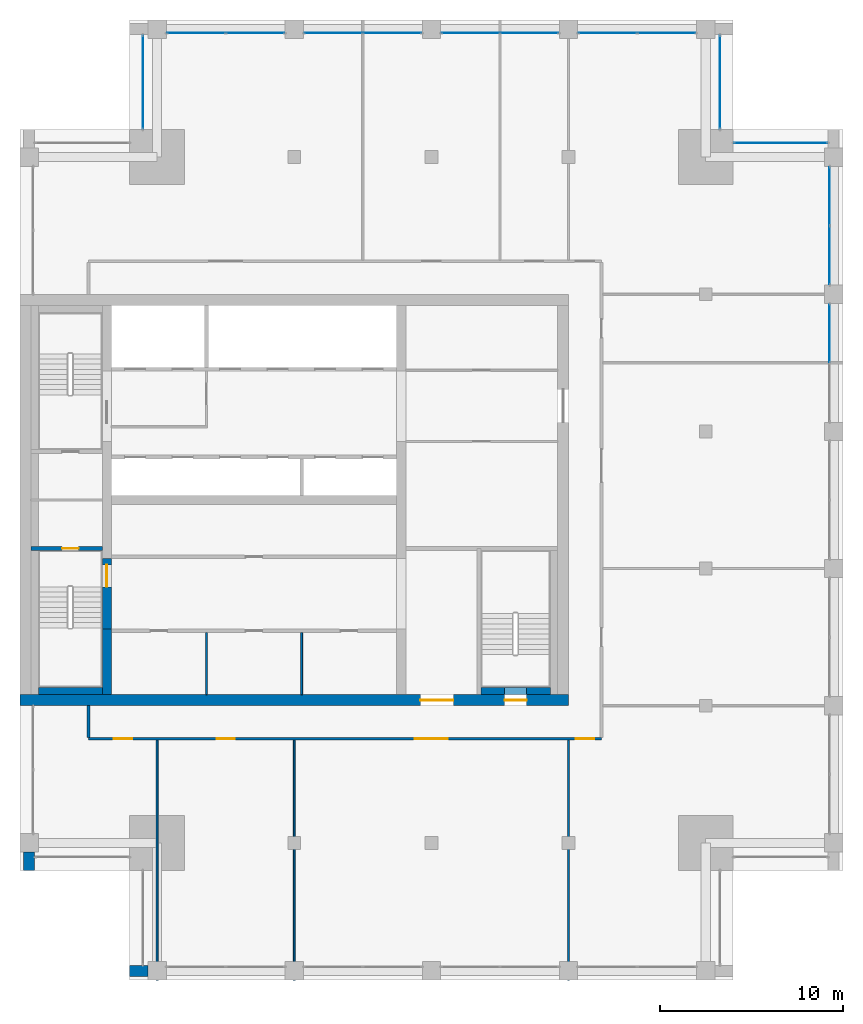
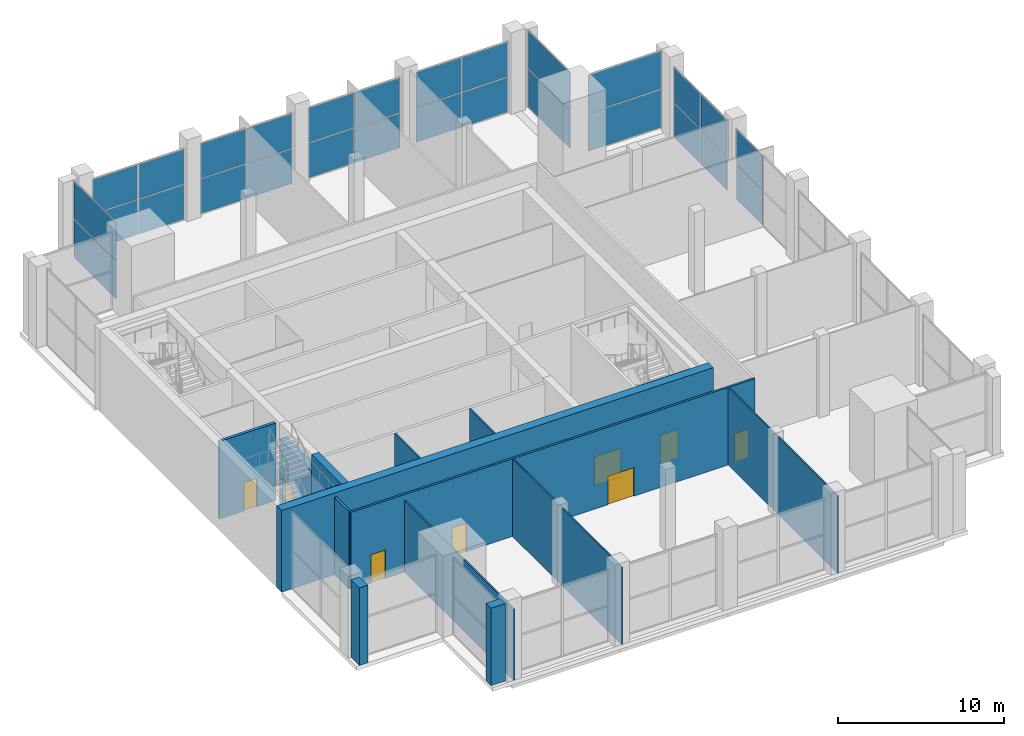
# One storey, part 8 of 15: 28 plates, 17 walls, 8 doors, 8 openings, 9 elements without a shape of their own.
"""IFC4 building model written with IfcOpenShell, lengths in metres."""

import ifcopenshell
import ifcopenshell.guid

model = None  # the IFC model being written
_history = None  # IfcOwnerHistory: only IFC2X3 demands one
_inside = {}  # id of a spatial element -> (the spatial element, [elements in it])
_under = {}  # id of a project, library or spatial element -> (it, [spatial elements below it])
_declared = {}  # id of a project -> (the project, [libraries it declares])
_typed = {}  # id of a type object -> (the type object, [elements of that type])
_made_of = {}  # id of a material, layer set ... -> (it, [elements and type objects made of it])


def new_model(schema):
    """Start an empty IFC model of exactly this schema.

    Asked for "IFC4X3", IfcOpenShell would pick the latest addendum, in which some entities
    have other attributes; the version numbers below select the first issue.
    IFC2X3 requires an IfcOwnerHistory on every rooted entity: one is made here for all.
    """
    global model, _history
    if schema == "IFC4X3":
        model = ifcopenshell.file(schema_version=(4, 3, 0, 0))
    else:
        model = ifcopenshell.file(schema=schema)
    _inside.clear()
    _under.clear()
    _declared.clear()
    _typed.clear()
    _made_of.clear()
    _history = None
    if model.schema == "IFC2X3":
        org = make("IfcOrganization", Name="unknown")
        user = make(
            "IfcPersonAndOrganization",
            ThePerson=make("IfcPerson", FamilyName="unknown"),
            TheOrganization=org,
        )
        app = make(
            "IfcApplication",
            ApplicationDeveloper=org,
            Version="unknown",
            ApplicationFullName="unknown",
            ApplicationIdentifier="unknown",
        )
        _history = make(
            "IfcOwnerHistory",
            OwningUser=user,
            OwningApplication=app,
            ChangeAction="ADDED",
            CreationDate=0,
        )
    return model


def make(cls, **values):
    """One entity of the class cls with the attributes given. An attribute that is None is left unset."""
    return model.create_entity(
        cls, **{name: value for name, value in values.items() if value is not None}
    )


def rooted(cls, **values):
    """An entity with a GlobalId (a new one), such as an element, a storey or a relation."""
    return make(cls, GlobalId=ifcopenshell.guid.new(), OwnerHistory=_history, **values)


def si_unit(unit_type, name, prefix=None):
    """IfcSIUnit, for example si_unit("LENGTHUNIT", "METRE", prefix="MILLI")."""
    return make("IfcSIUnit", UnitType=unit_type, Prefix=prefix, Name=name)


def assignment(units):
    """IfcUnitAssignment: the units of a project."""
    return None if units is None else make("IfcUnitAssignment", Units=units)


def point(xyz):
    """IfcCartesianPoint."""
    return None if xyz is None else make("IfcCartesianPoint", Coordinates=xyz)


def direction(xyz):
    """IfcDirection."""
    return None if xyz is None else make("IfcDirection", DirectionRatios=xyz)


def frame(location, z_axis=None, x_axis=None):
    """IfcAxis2Placement3D, a coordinate frame: its origin and axes. An axis left out is left unset."""
    return make(
        "IfcAxis2Placement3D",
        Location=point(location),
        Axis=direction(z_axis),
        RefDirection=direction(x_axis),
    )


def frame_2d(location, x_axis=None):
    """IfcAxis2Placement2D, a coordinate frame in the plane: its origin and x axis."""
    return make(
        "IfcAxis2Placement2D", Location=point(location), RefDirection=direction(x_axis)
    )


def origin():
    """The frame at (0, 0, 0) with its axes left unset."""
    return frame((0.0, 0.0, 0.0))


def origin_2d():
    """The frame at (0, 0) in the plane with its x axis left unset."""
    return frame_2d((0.0, 0.0))


def place(relative_to, where):
    """IfcLocalPlacement: puts the frame where relative to a parent placement (None: the world)."""
    return make(
        "IfcLocalPlacement", PlacementRelTo=relative_to, RelativePlacement=where
    )


def context(
    kind, dimensions, precision=None, world=None, true_north=None, identifier=None
):
    """IfcGeometricRepresentationContext, for example the 3D "Model" context."""
    return make(
        "IfcGeometricRepresentationContext",
        ContextIdentifier=identifier,
        ContextType=kind,
        CoordinateSpaceDimension=dimensions,
        Precision=precision,
        WorldCoordinateSystem=world,
        TrueNorth=true_north,
    )


def subcontext(parent, identifier, kind, view, scale=None):
    """IfcGeometricRepresentationSubContext, for example "Body" below "Model"."""
    return make(
        "IfcGeometricRepresentationSubContext",
        ContextIdentifier=identifier,
        ContextType=kind,
        ParentContext=parent,
        TargetScale=scale,
        TargetView=view,
    )


def project(units=None, contexts=None):
    """IfcProject with its units and contexts."""
    return rooted(
        "IfcProject",
        Name="project",
        RepresentationContexts=contexts,
        UnitsInContext=assignment(units),
    )


def spatial(cls, under=None, at=None, **own):
    """A site, building, storey or space (cls), placed at a placement, below another one or the project."""
    s = rooted(cls, ObjectPlacement=at, **own)
    if under is not None:
        _under.setdefault(under.id(), (under, []))[1].append(s)
    return s


def profile(cls, at=None, kind="AREA", **sizes):
    """A parametric profile (cls). Its sizes go by their IFC names, for example OverallWidth=200.0."""
    return make(cls, ProfileType=kind, Position=at, **sizes)


def rectangle(**sizes):
    """IfcRectangleProfileDef."""
    return profile("IfcRectangleProfileDef", **sizes)


def extrude(swept, where, along, depth):
    """IfcExtrudedAreaSolid: the profile swept, set in the frame where, extruded along a direction by depth."""
    return make(
        "IfcExtrudedAreaSolid",
        SweptArea=swept,
        Position=where,
        ExtrudedDirection=direction(along),
        Depth=depth,
    )


def shape(context_of_items, identifier, shape_type, items):
    """IfcShapeRepresentation: the items that make up one representation, for example the "Body"."""
    return make(
        "IfcShapeRepresentation",
        ContextOfItems=context_of_items,
        RepresentationIdentifier=identifier,
        RepresentationType=shape_type,
        Items=items,
    )


def material(Name=None, Category=None):
    """IfcMaterial."""
    return make("IfcMaterial", Name=Name, Category=Category)


def layer(
    of_material, thickness, ventilated=None, Name=None, Category=None, Priority=None
):
    """IfcMaterialLayer: one layer of a wall or slab, of a material (None: an air gap)."""
    return make(
        "IfcMaterialLayer",
        Material=of_material,
        LayerThickness=thickness,
        IsVentilated=ventilated,
        Name=Name,
        Category=Category,
        Priority=Priority,
    )


def layer_set(layers, Name=None):
    """IfcMaterialLayerSet."""
    return make("IfcMaterialLayerSet", MaterialLayers=layers, LayerSetName=Name)


def made_of(thing, what):
    """Note that an element or type object is made of a material, layer set ...; save() writes the relation."""
    if what is not None:
        _made_of.setdefault(what.id(), (what, []))[1].append(thing)
    return thing


def type_object(cls, material=None, **own):
    """A type object (cls), such as IfcWallType, which elements share."""
    return made_of(rooted(cls, **own), material)


def element(
    cls,
    number,
    at=None,
    inside=None,
    cuts=None,
    type_object=None,
    material=None,
    context=None,
    identifier="Body",
    shape_type=None,
    held_by="IfcProductDefinitionShape",
    body=None,
    shapes=None,
    **own,
):
    """One element of the class cls, such as IfcWall. Its Tag is "e" and its number.

    at: its placement. inside: the storey or other place that contains it. cuts: it is an
    opening in that element (IfcRelVoidsElement). A single representation is given by context,
    identifier, shape_type and body (its items); several are given by shapes. held_by: the class
    of the entity that holds the representations. save() writes the other relations.
    """
    e = rooted(cls, Tag="e%d" % number, ObjectPlacement=at, **own)
    if body is not None:
        shapes = [shape(context, identifier, shape_type, body)]
    if shapes is not None:
        e.Representation = make(held_by, Representations=shapes)
    if inside is not None:
        _inside.setdefault(inside.id(), (inside, []))[1].append(e)
    if cuts is not None:
        rooted(
            "IfcRelVoidsElement", RelatingBuildingElement=cuts, RelatedOpeningElement=e
        )
    if type_object is not None:
        _typed.setdefault(type_object.id(), (type_object, []))[1].append(e)
    return made_of(e, material)


def fill(opening, filler):
    """IfcRelFillsElement: the door or window that sits in an opening."""
    return rooted(
        "IfcRelFillsElement",
        RelatingOpeningElement=opening,
        RelatedBuildingElement=filler,
    )


def aggregate(whole, parts):
    """IfcRelAggregates: a whole, such as a stair, and the parts it consists of."""
    return rooted("IfcRelAggregates", RelatingObject=whole, RelatedObjects=parts)


def save(model, path):
    """Write the relations noted so far, then the file.

    IfcRelAggregates (storeys below a building ...), IfcRelContainedInSpatialStructure (elements
    in a storey), IfcRelDefinesByType, IfcRelAssociatesMaterial and IfcRelDeclares: one each for
    every whole, place, type object, material and project.
    """
    for whole, parts in _under.values():
        aggregate(whole, parts)
    for where, things in _inside.values():
        rooted(
            "IfcRelContainedInSpatialStructure",
            RelatedElements=things,
            RelatingStructure=where,
        )
    for kind, things in _typed.values():
        rooted("IfcRelDefinesByType", RelatedObjects=things, RelatingType=kind)
    for what, things in _made_of.values():
        rooted("IfcRelAssociatesMaterial", RelatedObjects=things, RelatingMaterial=what)
    for by, libraries in _declared.values():
        rooted("IfcRelDeclares", RelatingContext=by, RelatedDefinitions=libraries)
    model.write(path)


model = new_model("IFC4")

# Units and contexts
model_context = context("Model", 3, precision=1e-05, world=origin(), true_north=direction((0.0, 1.0)))
body_context = subcontext(model_context, "Body", "Model", "MODEL_VIEW")
ifc_project = project(units=[si_unit("LENGTHUNIT", "METRE"), si_unit("AREAUNIT", "SQUARE_METRE"), si_unit("VOLUMEUNIT", "CUBIC_METRE"), si_unit("PLANEANGLEUNIT", "RADIAN"), si_unit("MASSUNIT", "GRAM", prefix="KILO")], contexts=[model_context])

# Site, building, storey
site_placement = place(None, origin())
site = spatial("IfcSite", under=ifc_project, at=site_placement, CompositionType="ELEMENT")
building_placement = place(site_placement, origin())
building = spatial("IfcBuilding", under=site, at=building_placement, Name="Tamorin Gate", CompositionType="ELEMENT")
storey_placement = place(building_placement, frame((0.0, 0.0, 302.699951171875)))
storey = spatial("IfcBuildingStorey", under=building, at=storey_placement, Name="L75", CompositionType="ELEMENT", Elevation=302.699951171875)

# Curtain wall, plates
ifc_material_1 = material(Name="Aluminium mullions and transoms with clear glass", Category="aluminium")
ifc_layer_1 = layer(ifc_material_1, 0.159912109375)
ifc_layer_set_1 = layer_set([ifc_layer_1], Name="Curtain wall system CW4")
curtain_wall_type = type_object("IfcCurtainWallType", Name="Curtain wall system CW4", PredefinedType="NOTDEFINED", material=ifc_layer_set_1)
curtain_wall_1_placement = place(storey_placement, origin())
curtain_wall_1 = element("IfcCurtainWall", 1, at=curtain_wall_1_placement, inside=storey, type_object=curtain_wall_type, Name="Curtain wall", PredefinedType="NOTDEFINED")
ifc_material_2 = material(Name="Clear glass", Category="glass")
ifc_layer_2 = layer(ifc_material_2, 0.028076171875)
ifc_layer_set_2 = layer_set([ifc_layer_2], Name="Clear glass panel IGU 28")
plate_type = type_object("IfcPlateType", Name="Clear glass panel IGU 28", PredefinedType="CURTAIN_PANEL", material=ifc_layer_set_2)
plate_1_placement = place(storey_placement, frame((74.280029296875, 80.360107421875, 0.06005859375), z_axis=(0.0, 0.0, 1.0), x_axis=(0.0, 1.0, 0.0)))
plate_1 = element("IfcPlate", 2, at=plate_1_placement, type_object=plate_type, Name="CW4 panel 2.1", PredefinedType="CURTAIN_PANEL", context=body_context, shape_type="SweptSolid", body=[
    extrude(rectangle(XDim=3.159912109375, YDim=0.028076171875, at=origin_2d()), origin(), (0.0, 0.0, 1.0), 2.534912109375),
])
plate_2_placement = place(storey_placement, frame((74.280029296875, 80.360107421875, 2.6552734375), z_axis=(0.0, 0.0, 1.0), x_axis=(0.0, 1.0, 0.0)))
plate_2 = element("IfcPlate", 3, at=plate_2_placement, type_object=plate_type, Name="CW4 panel 2.2", PredefinedType="CURTAIN_PANEL", context=body_context, shape_type="SweptSolid", body=[
    extrude(rectangle(XDim=3.159912109375, YDim=0.028076171875, at=origin_2d()), origin(), (0.0, 0.0, 1.0), 2.534912109375),
])
aggregate(curtain_wall_1, [plate_1, plate_2])

curtain_wall_2_placement = place(storey_placement, origin())
curtain_wall_2 = element("IfcCurtainWall", 4, at=curtain_wall_2_placement, inside=storey, type_object=curtain_wall_type, Name="Curtain wall", PredefinedType="NOTDEFINED")
plate_3_placement = place(storey_placement, frame((74.280029296875, 84.639892578125, 0.06005859375), z_axis=(0.0, 0.0, 1.0), x_axis=(0.0, 1.0, 0.0)))
plate_3 = element("IfcPlate", 5, at=plate_3_placement, type_object=plate_type, Name="CW4 panel 1.1", PredefinedType="CURTAIN_PANEL", context=body_context, shape_type="SweptSolid", body=[
    extrude(rectangle(XDim=3.159912109375, YDim=0.028076171875, at=origin_2d()), origin(), (0.0, 0.0, 1.0), 2.534912109375),
])
plate_4_placement = place(storey_placement, frame((74.280029296875, 84.639892578125, 2.6552734375), z_axis=(0.0, 0.0, 1.0), x_axis=(0.0, 1.0, 0.0)))
plate_4 = element("IfcPlate", 6, at=plate_4_placement, type_object=plate_type, Name="CW4 panel 1.2", PredefinedType="CURTAIN_PANEL", context=body_context, shape_type="SweptSolid", body=[
    extrude(rectangle(XDim=3.159912109375, YDim=0.028076171875, at=origin_2d()), origin(), (0.0, 0.0, 1.0), 2.534912109375),
])
plate_5_placement = place(storey_placement, frame((74.280029296875, 87.860107421875, 0.06005859375), z_axis=(0.0, 0.0, 1.0), x_axis=(0.0, 1.0, 0.0)))
plate_5 = element("IfcPlate", 7, at=plate_5_placement, type_object=plate_type, Name="CW4 panel 2.1", PredefinedType="CURTAIN_PANEL", context=body_context, shape_type="SweptSolid", body=[
    extrude(rectangle(XDim=3.159912109375, YDim=0.028076171875, at=origin_2d()), origin(), (0.0, 0.0, 1.0), 2.534912109375),
])
plate_6_placement = place(storey_placement, frame((74.280029296875, 87.860107421875, 2.6552734375), z_axis=(0.0, 0.0, 1.0), x_axis=(0.0, 1.0, 0.0)))
plate_6 = element("IfcPlate", 8, at=plate_6_placement, type_object=plate_type, Name="CW4 panel 2.2", PredefinedType="CURTAIN_PANEL", context=body_context, shape_type="SweptSolid", body=[
    extrude(rectangle(XDim=3.159912109375, YDim=0.028076171875, at=origin_2d()), origin(), (0.0, 0.0, 1.0), 2.534912109375),
])
aggregate(curtain_wall_2, [plate_3, plate_4, plate_5, plate_6])

curtain_wall_3_placement = place(storey_placement, origin())
curtain_wall_3 = element("IfcCurtainWall", 9, at=curtain_wall_3_placement, inside=storey, type_object=curtain_wall_type, Name="Curtain wall", PredefinedType="NOTDEFINED")
plate_7_placement = place(storey_placement, frame((71.60009765625, 90.780029296875, 0.06005859375), z_axis=(0.0, 0.0, 1.0), x_axis=(-1.0, 0.0, 0.0)))
plate_7 = element("IfcPlate", 10, at=plate_7_placement, type_object=plate_type, Name="CW4 panel 1.1", PredefinedType="CURTAIN_PANEL", context=body_context, shape_type="SweptSolid", body=[
    extrude(rectangle(XDim=5.080078125, YDim=0.028076171875, at=origin_2d()), origin(), (0.0, 0.0, 1.0), 2.760009765625),
])
plate_8_placement = place(storey_placement, frame((71.60009765625, 90.780029296875, 2.8798828125), z_axis=(0.0, 0.0, 1.0), x_axis=(-1.0, 0.0, 0.0)))
plate_8 = element("IfcPlate", 11, at=plate_8_placement, type_object=plate_type, Name="CW4 panel 1.2", PredefinedType="CURTAIN_PANEL", context=body_context, shape_type="SweptSolid", body=[
    extrude(rectangle(XDim=5.080078125, YDim=0.028076171875, at=origin_2d()), origin(), (0.0, 0.0, 1.0), 2.760009765625),
])
aggregate(curtain_wall_3, [plate_7, plate_8])

curtain_wall_4_placement = place(storey_placement, origin())
curtain_wall_4 = element("IfcCurtainWall", 12, at=curtain_wall_4_placement, inside=storey, type_object=curtain_wall_type, Name="Curtain wall", PredefinedType="NOTDEFINED")
plate_9_placement = place(storey_placement, frame((68.280029296875, 94.10009765625, 0.06005859375), z_axis=(0.0, 0.0, 1.0), x_axis=(0.0, 1.0, 0.0)))
plate_9 = element("IfcPlate", 13, at=plate_9_placement, type_object=plate_type, Name="CW4 panel 1.1", PredefinedType="CURTAIN_PANEL", context=body_context, shape_type="SweptSolid", body=[
    extrude(rectangle(XDim=5.080078125, YDim=0.028076171875, at=origin_2d()), origin(), (0.0, 0.0, 1.0), 2.760009765625),
])
plate_10_placement = place(storey_placement, frame((68.280029296875, 94.10009765625, 2.8798828125), z_axis=(0.0, 0.0, 1.0), x_axis=(0.0, 1.0, 0.0)))
plate_10 = element("IfcPlate", 14, at=plate_10_placement, type_object=plate_type, Name="CW4 panel 1.2", PredefinedType="CURTAIN_PANEL", context=body_context, shape_type="SweptSolid", body=[
    extrude(rectangle(XDim=5.080078125, YDim=0.028076171875, at=origin_2d()), origin(), (0.0, 0.0, 1.0), 2.760009765625),
])
aggregate(curtain_wall_4, [plate_9, plate_10])

curtain_wall_5_placement = place(storey_placement, origin())
curtain_wall_5 = element("IfcCurtainWall", 15, at=curtain_wall_5_placement, inside=storey, type_object=curtain_wall_type, Name="Curtain wall", PredefinedType="NOTDEFINED")
plate_11_placement = place(storey_placement, frame((65.360107421875, 96.780029296875, 0.06005859375), z_axis=(0.0, 0.0, 1.0), x_axis=(-1.0, 0.0, 0.0)))
plate_11 = element("IfcPlate", 16, at=plate_11_placement, type_object=plate_type, Name="CW4 panel 1.1", PredefinedType="CURTAIN_PANEL", context=body_context, shape_type="SweptSolid", body=[
    extrude(rectangle(XDim=3.159912109375, YDim=0.028076171875, at=origin_2d()), origin(), (0.0, 0.0, 1.0), 2.534912109375),
])
plate_12_placement = place(storey_placement, frame((65.360107421875, 96.780029296875, 2.6552734375), z_axis=(0.0, 0.0, 1.0), x_axis=(-1.0, 0.0, 0.0)))
plate_12 = element("IfcPlate", 17, at=plate_12_placement, type_object=plate_type, Name="CW4 panel 1.2", PredefinedType="CURTAIN_PANEL", context=body_context, shape_type="SweptSolid", body=[
    extrude(rectangle(XDim=3.159912109375, YDim=0.028076171875, at=origin_2d()), origin(), (0.0, 0.0, 1.0), 2.534912109375),
])
plate_13_placement = place(storey_placement, frame((62.139892578125, 96.780029296875, 0.06005859375), z_axis=(0.0, 0.0, 1.0), x_axis=(-1.0, 0.0, 0.0)))
plate_13 = element("IfcPlate", 18, at=plate_13_placement, type_object=plate_type, Name="CW4 panel 2.1", PredefinedType="CURTAIN_PANEL", context=body_context, shape_type="SweptSolid", body=[
    extrude(rectangle(XDim=3.159912109375, YDim=0.028076171875, at=origin_2d()), origin(), (0.0, 0.0, 1.0), 2.534912109375),
])
plate_14_placement = place(storey_placement, frame((62.139892578125, 96.780029296875, 2.6552734375), z_axis=(0.0, 0.0, 1.0), x_axis=(-1.0, 0.0, 0.0)))
plate_14 = element("IfcPlate", 19, at=plate_14_placement, type_object=plate_type, Name="CW4 panel 2.2", PredefinedType="CURTAIN_PANEL", context=body_context, shape_type="SweptSolid", body=[
    extrude(rectangle(XDim=3.159912109375, YDim=0.028076171875, at=origin_2d()), origin(), (0.0, 0.0, 1.0), 2.534912109375),
])
aggregate(curtain_wall_5, [plate_11, plate_12, plate_13, plate_14])

curtain_wall_6_placement = place(storey_placement, origin())
curtain_wall_6 = element("IfcCurtainWall", 20, at=curtain_wall_6_placement, inside=storey, type_object=curtain_wall_type, Name="Curtain wall", PredefinedType="NOTDEFINED")
plate_15_placement = place(storey_placement, frame((57.860107421875, 96.780029296875, 0.06005859375), z_axis=(0.0, 0.0, 1.0), x_axis=(-1.0, 0.0, 0.0)))
plate_15 = element("IfcPlate", 21, at=plate_15_placement, type_object=plate_type, Name="CW4 panel 1.1", PredefinedType="CURTAIN_PANEL", context=body_context, shape_type="SweptSolid", body=[
    extrude(rectangle(XDim=3.159912109375, YDim=0.028076171875, at=origin_2d()), origin(), (0.0, 0.0, 1.0), 2.534912109375),
])
plate_16_placement = place(storey_placement, frame((57.860107421875, 96.780029296875, 2.6552734375), z_axis=(0.0, 0.0, 1.0), x_axis=(-1.0, 0.0, 0.0)))
plate_16 = element("IfcPlate", 22, at=plate_16_placement, type_object=plate_type, Name="CW4 panel 1.2", PredefinedType="CURTAIN_PANEL", context=body_context, shape_type="SweptSolid", body=[
    extrude(rectangle(XDim=3.159912109375, YDim=0.028076171875, at=origin_2d()), origin(), (0.0, 0.0, 1.0), 2.534912109375),
])
plate_17_placement = place(storey_placement, frame((54.639892578125, 96.780029296875, 0.06005859375), z_axis=(0.0, 0.0, 1.0), x_axis=(-1.0, 0.0, 0.0)))
plate_17 = element("IfcPlate", 23, at=plate_17_placement, type_object=plate_type, Name="CW4 panel 2.1", PredefinedType="CURTAIN_PANEL", context=body_context, shape_type="SweptSolid", body=[
    extrude(rectangle(XDim=3.159912109375, YDim=0.028076171875, at=origin_2d()), origin(), (0.0, 0.0, 1.0), 2.534912109375),
])
plate_18_placement = place(storey_placement, frame((54.639892578125, 96.780029296875, 2.6552734375), z_axis=(0.0, 0.0, 1.0), x_axis=(-1.0, 0.0, 0.0)))
plate_18 = element("IfcPlate", 24, at=plate_18_placement, type_object=plate_type, Name="CW4 panel 2.2", PredefinedType="CURTAIN_PANEL", context=body_context, shape_type="SweptSolid", body=[
    extrude(rectangle(XDim=3.159912109375, YDim=0.028076171875, at=origin_2d()), origin(), (0.0, 0.0, 1.0), 2.534912109375),
])
aggregate(curtain_wall_6, [plate_15, plate_16, plate_17, plate_18])

curtain_wall_7_placement = place(storey_placement, origin())
curtain_wall_7 = element("IfcCurtainWall", 25, at=curtain_wall_7_placement, inside=storey, type_object=curtain_wall_type, Name="Curtain wall", PredefinedType="NOTDEFINED")
plate_19_placement = place(storey_placement, frame((50.360107421875, 96.780029296875, 0.06005859375), z_axis=(0.0, 0.0, 1.0), x_axis=(-1.0, 0.0, 0.0)))
plate_19 = element("IfcPlate", 26, at=plate_19_placement, type_object=plate_type, Name="CW4 panel 1.1", PredefinedType="CURTAIN_PANEL", context=body_context, shape_type="SweptSolid", body=[
    extrude(rectangle(XDim=3.159912109375, YDim=0.028076171875, at=origin_2d()), origin(), (0.0, 0.0, 1.0), 2.534912109375),
])
plate_20_placement = place(storey_placement, frame((50.360107421875, 96.780029296875, 2.6552734375), z_axis=(0.0, 0.0, 1.0), x_axis=(-1.0, 0.0, 0.0)))
plate_20 = element("IfcPlate", 27, at=plate_20_placement, type_object=plate_type, Name="CW4 panel 1.2", PredefinedType="CURTAIN_PANEL", context=body_context, shape_type="SweptSolid", body=[
    extrude(rectangle(XDim=3.159912109375, YDim=0.028076171875, at=origin_2d()), origin(), (0.0, 0.0, 1.0), 2.534912109375),
])
plate_21_placement = place(storey_placement, frame((47.139892578125, 96.780029296875, 0.06005859375), z_axis=(0.0, 0.0, 1.0), x_axis=(-1.0, 0.0, 0.0)))
plate_21 = element("IfcPlate", 28, at=plate_21_placement, type_object=plate_type, Name="CW4 panel 2.1", PredefinedType="CURTAIN_PANEL", context=body_context, shape_type="SweptSolid", body=[
    extrude(rectangle(XDim=3.159912109375, YDim=0.028076171875, at=origin_2d()), origin(), (0.0, 0.0, 1.0), 2.534912109375),
])
plate_22_placement = place(storey_placement, frame((47.139892578125, 96.780029296875, 2.6552734375), z_axis=(0.0, 0.0, 1.0), x_axis=(-1.0, 0.0, 0.0)))
plate_22 = element("IfcPlate", 29, at=plate_22_placement, type_object=plate_type, Name="CW4 panel 2.2", PredefinedType="CURTAIN_PANEL", context=body_context, shape_type="SweptSolid", body=[
    extrude(rectangle(XDim=3.159912109375, YDim=0.028076171875, at=origin_2d()), origin(), (0.0, 0.0, 1.0), 2.534912109375),
])
aggregate(curtain_wall_7, [plate_19, plate_20, plate_21, plate_22])

curtain_wall_8_placement = place(storey_placement, origin())
curtain_wall_8 = element("IfcCurtainWall", 30, at=curtain_wall_8_placement, inside=storey, type_object=curtain_wall_type, Name="Curtain wall", PredefinedType="NOTDEFINED")
plate_23_placement = place(storey_placement, frame((42.860107421875, 96.780029296875, 0.06005859375), z_axis=(0.0, 0.0, 1.0), x_axis=(-1.0, 0.0, 0.0)))
plate_23 = element("IfcPlate", 31, at=plate_23_placement, type_object=plate_type, Name="CW4 panel 1.1", PredefinedType="CURTAIN_PANEL", context=body_context, shape_type="SweptSolid", body=[
    extrude(rectangle(XDim=3.159912109375, YDim=0.028076171875, at=origin_2d()), origin(), (0.0, 0.0, 1.0), 2.534912109375),
])
plate_24_placement = place(storey_placement, frame((42.860107421875, 96.780029296875, 2.6552734375), z_axis=(0.0, 0.0, 1.0), x_axis=(-1.0, 0.0, 0.0)))
plate_24 = element("IfcPlate", 32, at=plate_24_placement, type_object=plate_type, Name="CW4 panel 1.2", PredefinedType="CURTAIN_PANEL", context=body_context, shape_type="SweptSolid", body=[
    extrude(rectangle(XDim=3.159912109375, YDim=0.028076171875, at=origin_2d()), origin(), (0.0, 0.0, 1.0), 2.534912109375),
])
plate_25_placement = place(storey_placement, frame((39.639892578125, 96.780029296875, 0.06005859375), z_axis=(0.0, 0.0, 1.0), x_axis=(-1.0, 0.0, 0.0)))
plate_25 = element("IfcPlate", 33, at=plate_25_placement, type_object=plate_type, Name="CW4 panel 2.1", PredefinedType="CURTAIN_PANEL", context=body_context, shape_type="SweptSolid", body=[
    extrude(rectangle(XDim=3.159912109375, YDim=0.028076171875, at=origin_2d()), origin(), (0.0, 0.0, 1.0), 2.534912109375),
])
plate_26_placement = place(storey_placement, frame((39.639892578125, 96.780029296875, 2.6552734375), z_axis=(0.0, 0.0, 1.0), x_axis=(-1.0, 0.0, 0.0)))
plate_26 = element("IfcPlate", 34, at=plate_26_placement, type_object=plate_type, Name="CW4 panel 2.2", PredefinedType="CURTAIN_PANEL", context=body_context, shape_type="SweptSolid", body=[
    extrude(rectangle(XDim=3.159912109375, YDim=0.028076171875, at=origin_2d()), origin(), (0.0, 0.0, 1.0), 2.534912109375),
])
aggregate(curtain_wall_8, [plate_23, plate_24, plate_25, plate_26])

curtain_wall_9_placement = place(storey_placement, origin())
curtain_wall_9 = element("IfcCurtainWall", 35, at=curtain_wall_9_placement, inside=storey, type_object=curtain_wall_type, Name="Curtain wall", PredefinedType="NOTDEFINED")
plate_27_placement = place(storey_placement, frame((36.719970703125, 94.10009765625, 0.06005859375), z_axis=(0.0, 0.0, 1.0), x_axis=(0.0, -1.0, 0.0)))
plate_27 = element("IfcPlate", 36, at=plate_27_placement, type_object=plate_type, Name="CW4 panel 1.1", PredefinedType="CURTAIN_PANEL", context=body_context, shape_type="SweptSolid", body=[
    extrude(rectangle(XDim=5.080078125, YDim=0.028076171875, at=origin_2d()), origin(), (0.0, 0.0, 1.0), 2.760009765625),
])
plate_28_placement = place(storey_placement, frame((36.719970703125, 94.10009765625, 2.8798828125), z_axis=(0.0, 0.0, 1.0), x_axis=(0.0, -1.0, 0.0)))
plate_28 = element("IfcPlate", 37, at=plate_28_placement, type_object=plate_type, Name="CW4 panel 1.2", PredefinedType="CURTAIN_PANEL", context=body_context, shape_type="SweptSolid", body=[
    extrude(rectangle(XDim=5.080078125, YDim=0.028076171875, at=origin_2d()), origin(), (0.0, 0.0, 1.0), 2.760009765625),
])
aggregate(curtain_wall_9, [plate_27, plate_28])

# Walls
ifc_material_3 = material(Name="Precast concrete C40/50", Category="concrete")
ifc_layer_3 = layer(ifc_material_3, 0.60009765625)
ifc_layer_set_3 = layer_set([ifc_layer_3], Name="Precast concrete C40/50")
wall_type_1 = type_object("IfcWallType", Name="Board-marked concrete facade panel 600", PredefinedType="SOLIDWALL", material=ifc_layer_set_3)
for number, where, z_axis, x_axis, name in (
    (38, (36.0, 45.5, 0.0), (0.0, 0.0, 1.0), (1.0, 0.0, 0.0), "Facade panel"),
    (39, (30.5, 52.0, 0.0), (0.0, 0.0, 1.0), (0.0, -1.0, 0.0), "Facade panel"),
):
    element("IfcWall", number, at=place(storey_placement, frame(where, z_axis=z_axis, x_axis=x_axis)), inside=storey, type_object=wall_type_1, Name=name, PredefinedType="SOLIDWALL", context=body_context, shape_type="SweptSolid", body=[
        extrude(rectangle(XDim=1.0, YDim=0.60009765625, at=frame_2d((0.5, 0.0))), origin(), (0.0, 0.0, 1.0), 5.699951171875),
    ])

# Wall, openings, doors
ifc_material_4 = material(Name="Gypsum board partition")
ifc_layer_4 = layer(ifc_material_4, 0.14990234375)
ifc_layer_set_4 = layer_set([ifc_layer_4], Name="Corridor wall 150")
wall_type_2 = type_object("IfcWallType", Name="Corridor wall 150", PredefinedType="PARTITIONING", material=ifc_layer_set_4)
wall_1_placement = place(storey_placement, frame((33.75, 58.199951171875, 0.0), z_axis=(0.0, 0.0, 1.0), x_axis=(1.0, 0.0, 0.0)))
wall_1 = element("IfcWall", 40, at=wall_1_placement, inside=storey, type_object=wall_type_2, Name="Corridor wall 150", PredefinedType="PARTITIONING", context=body_context, shape_type="SweptSolid", body=[
    extrude(rectangle(XDim=28.050048828125, YDim=0.14990234375, at=frame_2d((14.02490234375, 0.0))), origin(), (0.0, 0.0, 1.0), 5.699951171875),
])
opening_1_placement = place(wall_1_placement, frame((1.375, 0.0, 0.0)))
opening_1 = element("IfcOpeningElement", 41, at=opening_1_placement, cuts=wall_1, Name="Opening DOB1001", PredefinedType="OPENING", context=body_context, shape_type="SweptSolid", body=[
    extrude(rectangle(XDim=1.0, YDim=2.10009765625, at=frame_2d((0.5, 1.050048828125))), frame((0.0, 0.0849609375, 0.0), z_axis=(0.0, -1.0, 0.0), x_axis=(1.0, 0.0, 0.0)), (0.0, 0.0, 1.0), 0.169921875),
])
opening_2_placement = place(wall_1_placement, frame((7.0, 0.0, 0.0)))
opening_2 = element("IfcOpeningElement", 42, at=opening_2_placement, cuts=wall_1, Name="Opening DOB1002", PredefinedType="OPENING", context=body_context, shape_type="SweptSolid", body=[
    extrude(rectangle(XDim=1.0, YDim=2.10009765625, at=frame_2d((0.5, 1.050048828125))), frame((0.0, 0.0849609375, 0.0), z_axis=(0.0, -1.0, 0.0), x_axis=(1.0, 0.0, 0.0)), (0.0, 0.0, 1.0), 0.169921875),
])
opening_3_placement = place(wall_1_placement, frame((17.85009765625, 0.0, 0.0)))
opening_3 = element("IfcOpeningElement", 43, at=opening_3_placement, cuts=wall_1, Name="Opening DOB1003", PredefinedType="OPENING", context=body_context, shape_type="SweptSolid", body=[
    extrude(rectangle(XDim=1.800048828125, YDim=2.10009765625, at=frame_2d((0.89990234375, 1.050048828125))), frame((0.0, 0.0849609375, 0.0), z_axis=(0.0, -1.0, 0.0), x_axis=(1.0, 0.0, 0.0)), (0.0, 0.0, 1.0), 0.169921875),
])
opening_4_placement = place(wall_1_placement, frame((26.64990234375, 0.0, 0.0)))
opening_4 = element("IfcOpeningElement", 44, at=opening_4_placement, cuts=wall_1, Name="Opening DOB1004", PredefinedType="OPENING", context=body_context, shape_type="SweptSolid", body=[
    extrude(rectangle(XDim=1.0, YDim=2.10009765625, at=frame_2d((0.5, 1.050048828125))), frame((0.0, 0.0849609375, 0.0), z_axis=(0.0, -1.0, 0.0), x_axis=(1.0, 0.0, 0.0)), (0.0, 0.0, 1.0), 0.169921875),
])
ifc_material_5 = material(Name="Timber door leaf", Category="wood")
door_type_1 = type_object("IfcDoorType", Name="Door 1000 x 2100 FD30S", OperationType="NOTDEFINED", PredefinedType="DOOR", material=ifc_material_5)
door_1_placement = place(opening_1_placement, origin())
door_1 = element("IfcDoor", 45, at=door_1_placement, inside=storey, type_object=door_type_1, Name="Door DOB1001", OperationType="SINGLE_SWING_RIGHT", OverallHeight=2.10009765625, OverallWidth=1.0, PredefinedType="DOOR", context=body_context, shape_type="SweptSolid", body=[
    extrude(rectangle(XDim=1.0, YDim=2.10009765625, at=frame_2d((0.5, 1.050048828125))), frame((0.0, 0.02490234375, 0.0), z_axis=(0.0, -1.0, 0.0), x_axis=(1.0, 0.0, 0.0)), (0.0, 0.0, 1.0), 0.050048828125),
])
fill(opening_1, door_1)
door_2_placement = place(opening_2_placement, origin())
door_2 = element("IfcDoor", 46, at=door_2_placement, inside=storey, type_object=door_type_1, Name="Door DOB1002", OperationType="SINGLE_SWING_RIGHT", OverallHeight=2.10009765625, OverallWidth=1.0, PredefinedType="DOOR", context=body_context, shape_type="SweptSolid", body=[
    extrude(rectangle(XDim=1.0, YDim=2.10009765625, at=frame_2d((0.5, 1.050048828125))), frame((0.0, 0.02490234375, 0.0), z_axis=(0.0, -1.0, 0.0), x_axis=(1.0, 0.0, 0.0)), (0.0, 0.0, 1.0), 0.050048828125),
])
fill(opening_2, door_2)
door_3_placement = place(opening_4_placement, origin())
door_3 = element("IfcDoor", 47, at=door_3_placement, inside=storey, type_object=door_type_1, Name="Door DOB1004", OperationType="SINGLE_SWING_RIGHT", OverallHeight=2.10009765625, OverallWidth=1.0, PredefinedType="DOOR", context=body_context, shape_type="SweptSolid", body=[
    extrude(rectangle(XDim=1.0, YDim=2.10009765625, at=frame_2d((0.5, 1.050048828125))), frame((0.0, 0.02490234375, 0.0), z_axis=(0.0, -1.0, 0.0), x_axis=(1.0, 0.0, 0.0)), (0.0, 0.0, 1.0), 0.050048828125),
])
fill(opening_4, door_3)
door_type_2 = type_object("IfcDoorType", Name="Door 1800 x 2100 FD30S", OperationType="DOUBLE_DOOR_SINGLE_SWING", PredefinedType="DOOR", material=ifc_material_5)
door_4_placement = place(opening_3_placement, origin())
door_4 = element("IfcDoor", 48, at=door_4_placement, inside=storey, type_object=door_type_2, Name="Door DOB1003", OperationType="DOUBLE_DOOR_SINGLE_SWING", OverallHeight=2.10009765625, OverallWidth=1.800048828125, PredefinedType="DOOR", context=body_context, shape_type="SweptSolid", body=[
    extrude(rectangle(XDim=1.800048828125, YDim=2.10009765625, at=frame_2d((0.89990234375, 1.050048828125))), frame((0.0, 0.02490234375, 0.0), z_axis=(0.0, -1.0, 0.0), x_axis=(1.0, 0.0, 0.0)), (0.0, 0.0, 1.0), 0.050048828125),
])
fill(opening_3, door_4)

# Walls
wall_2_placement = place(storey_placement, frame((33.75, 58.27490234375, 0.0), z_axis=(0.0, 0.0, 1.0), x_axis=(0.0, 1.0, 0.0)))
element("IfcWall", 49, at=wall_2_placement, inside=storey, type_object=wall_type_2, Name="Corridor wall 150", PredefinedType="PARTITIONING", context=body_context, shape_type="SweptSolid", body=[
    extrude(rectangle(XDim=1.72509765625, YDim=0.14990234375, at=frame_2d((0.862548828125, 0.0))), origin(), (0.0, 0.0, 1.0), 5.699951171875),
])
ifc_material_6 = material(Name="Concrete C50/60", Category="concrete")
ifc_layer_5 = layer(ifc_material_6, 0.5)
ifc_layer_set_5 = layer_set([ifc_layer_5], Name="RC core internal wall 500 C50/60")
wall_type_3 = type_object("IfcWallType", Name="RC core internal wall 500 C50/60", PredefinedType="SHEAR", material=ifc_layer_set_5)
wall_3_placement = place(storey_placement, frame((34.75, 60.60009765625, 0.0), z_axis=(0.0, 0.0, 1.0), x_axis=(0.0, 1.0, 0.0)))
element("IfcWall", 50, at=wall_3_placement, inside=storey, type_object=wall_type_3, Name="Core cross wall L75", PredefinedType="SHEAR", context=body_context, shape_type="SweptSolid", body=[
    extrude(rectangle(XDim=3.599853515625, YDim=0.5, at=frame_2d((1.7998046875, 0.0))), origin(), (0.0, 0.0, 1.0), 6.0),
])

# Wall, openings, doors
ifc_layer_6 = layer(ifc_material_6, 0.60009765625)
ifc_layer_set_6 = layer_set([ifc_layer_6], Name="RC core wall 600 C50/60")
wall_type_4 = type_object("IfcWallType", Name="RC core wall 600 C50/60", PredefinedType="SHEAR", material=ifc_layer_set_6)
wall_4_placement = place(storey_placement, frame((30.0, 60.300048828125, 0.0), z_axis=(0.0, 0.0, 1.0), x_axis=(1.0, 0.0, 0.0)))
wall_4 = element("IfcWall", 51, at=wall_4_placement, inside=storey, type_object=wall_type_4, Name="Core wall L75", PredefinedType="SHEAR", context=body_context, shape_type="SweptSolid", body=[
    extrude(rectangle(XDim=30.0, YDim=0.60009765625, at=frame_2d((15.0, 0.0))), origin(), (0.0, 0.0, 1.0), 6.0),
])
opening_5_placement = place(wall_4_placement, frame((21.89990234375, 0.0, 0.0)))
opening_5 = element("IfcOpeningElement", 52, at=opening_5_placement, cuts=wall_4, Name="Opening DE1", PredefinedType="OPENING", context=body_context, shape_type="SweptSolid", body=[
    extrude(rectangle(XDim=1.800048828125, YDim=2.10009765625, at=frame_2d((0.89990234375, 1.050048828125))), frame((0.0, 0.31005859375, 0.0), z_axis=(0.0, -1.0, 0.0), x_axis=(1.0, 0.0, 0.0)), (0.0, 0.0, 1.0), 0.6201171875),
])
opening_6_placement = place(wall_4_placement, frame((26.5, 0.0, 0.0)))
opening_6 = element("IfcOpeningElement", 53, at=opening_6_placement, cuts=wall_4, Name="Opening DS1", PredefinedType="OPENING", context=body_context, shape_type="SweptSolid", body=[
    extrude(rectangle(XDim=1.199951171875, YDim=2.10009765625, at=frame_2d((0.60009765625, 1.050048828125))), frame((0.0, 0.31005859375, 0.0), z_axis=(0.0, -1.0, 0.0), x_axis=(1.0, 0.0, 0.0)), (0.0, 0.0, 1.0), 0.6201171875),
])
ifc_material_7 = material(Name="Steel fire door", Category="steel")
door_type_3 = type_object("IfcDoorType", Name="Lobby exit double door 1800 x 2100 EI 60", OperationType="DOUBLE_DOOR_SINGLE_SWING", PredefinedType="DOOR", material=ifc_material_7)
door_5_placement = place(opening_5_placement, origin())
door_5 = element("IfcDoor", 54, at=door_5_placement, inside=storey, type_object=door_type_3, Name="Lift lobby A exit door", OperationType="DOUBLE_DOOR_SINGLE_SWING", OverallHeight=2.10009765625, OverallWidth=1.800048828125, PredefinedType="DOOR", context=body_context, shape_type="SweptSolid", body=[
    extrude(rectangle(XDim=1.800048828125, YDim=2.10009765625, at=frame_2d((0.89990234375, 1.050048828125))), frame((0.0, 0.02490234375, 0.0), z_axis=(0.0, -1.0, 0.0), x_axis=(1.0, 0.0, 0.0)), (0.0, 0.0, 1.0), 0.050048828125),
])
fill(opening_5, door_5)
door_type_4 = type_object("IfcDoorType", Name="Stair door 1200 x 2100 EI 90", OperationType="SINGLE_SWING_LEFT", PredefinedType="DOOR", material=ifc_material_7)
door_6_placement = place(opening_6_placement, origin())
door_6 = element("IfcDoor", 55, at=door_6_placement, inside=storey, type_object=door_type_4, Name="ST3 door", OperationType="SINGLE_SWING_LEFT", OverallHeight=2.10009765625, OverallWidth=1.199951171875, PredefinedType="DOOR", context=body_context, shape_type="SweptSolid", body=[
    extrude(rectangle(XDim=1.199951171875, YDim=2.10009765625, at=frame_2d((0.60009765625, 1.050048828125))), frame((0.0, 0.02490234375, 0.0), z_axis=(0.0, -1.0, 0.0), x_axis=(1.0, 0.0, 0.0)), (0.0, 0.0, 1.0), 0.050048828125),
])
fill(opening_6, door_6)

# Walls
ifc_layer_7 = layer(ifc_material_4, 0.10009765625)
ifc_layer_set_7 = layer_set([ifc_layer_7], Name="Room partition 100")
wall_type_5 = type_object("IfcWallType", Name="Room partition 100", PredefinedType="PARTITIONING", material=ifc_layer_set_7)
wall_5_placement = place(storey_placement, frame((37.5, 45.0, 0.0), z_axis=(0.0, 0.0, 1.0), x_axis=(0.0, 1.0, 0.0)))
element("IfcWall", 56, at=wall_5_placement, inside=storey, type_object=wall_type_5, Name="Room partition 100", PredefinedType="PARTITIONING", context=body_context, shape_type="SweptSolid", body=[
    extrude(rectangle(XDim=13.125, YDim=0.10009765625, at=frame_2d((6.5625, 0.0))), origin(), (0.0, 0.0, 1.0), 5.25),
])
for number, where, z_axis, x_axis, name in (
    (57, (45.0, 45.0, 0.0), (0.0, 0.0, 1.0), (0.0, 1.0, 0.0), "Room partition 100"),
    (58, (60.0, 45.0, 0.0), (0.0, 0.0, 1.0), (0.0, 1.0, 0.0), "Room partition 100"),
):
    element("IfcWall", number, at=place(storey_placement, frame(where, z_axis=z_axis, x_axis=x_axis)), inside=storey, type_object=wall_type_5, Name=name, PredefinedType="PARTITIONING", context=body_context, shape_type="SweptSolid", body=[
        extrude(rectangle(XDim=13.125, YDim=0.10009765625, at=frame_2d((6.5625, 0.0))), origin(), (0.0, 0.0, 1.0), 5.699951171875),
    ])
ifc_layer_8 = layer(ifc_material_4, 0.10009765625)
ifc_layer_set_8 = layer_set([ifc_layer_8], Name="Service room partition 100 EI 60")
wall_type_6 = type_object("IfcWallType", Name="Service room partition 100 EI 60", PredefinedType="PARTITIONING", material=ifc_layer_set_8)
for number, where, z_axis, x_axis, name in (
    (59, (40.199951171875, 60.60009765625, 0.0), (0.0, 0.0, 1.0), (0.0, 1.0, 0.0), "Service room partition"),
    (60, (45.39990234375, 60.60009765625, 0.0), (0.0, 0.0, 1.0), (0.0, 1.0, 0.0), "Service room partition"),
):
    element("IfcWall", number, at=place(storey_placement, frame(where, z_axis=z_axis, x_axis=x_axis)), inside=storey, type_object=wall_type_6, Name=name, PredefinedType="PARTITIONING", context=body_context, shape_type="SweptSolid", body=[
        extrude(rectangle(XDim=3.39990234375, YDim=0.10009765625, at=frame_2d((1.699951171875, 0.0))), origin(), (0.0, 0.0, 1.0), 5.699951171875),
    ])

# Wall, opening, door
ifc_material_8 = material(Name="Concrete C40/50", Category="concrete")
ifc_layer_9 = layer(ifc_material_8, 0.199951171875)
ifc_layer_set_9 = layer_set([ifc_layer_9], Name="Stair enclosure wall 200 EI 120 C40/50")
wall_type_7 = type_object("IfcWallType", Name="Stair enclosure wall 200 EI 120 C40/50", PredefinedType="SOLIDWALL", material=ifc_layer_set_9)
wall_6_placement = place(storey_placement, frame((30.60009765625, 68.60009765625, 0.0), z_axis=(0.0, 0.0, 1.0), x_axis=(1.0, 0.0, 0.0)))
wall_6 = element("IfcWall", 61, at=wall_6_placement, inside=storey, type_object=wall_type_7, Name="Stair enclosure wall", PredefinedType="SOLIDWALL", context=body_context, shape_type="SweptSolid", body=[
    extrude(rectangle(XDim=3.89990234375, YDim=0.199951171875, at=frame_2d((1.949951171875, 0.0))), origin(), (0.0, 0.0, 1.0), 5.699951171875),
])
opening_7_placement = place(wall_6_placement, frame((1.699951171875, 0.0, 0.0)))
opening_7 = element("IfcOpeningElement", 62, at=opening_7_placement, cuts=wall_6, Name="Opening DR1", PredefinedType="OPENING", context=body_context, shape_type="SweptSolid", body=[
    extrude(rectangle(XDim=0.89990234375, YDim=2.10009765625, at=frame_2d((0.449951171875, 1.050048828125))), frame((0.0, 0.10986328125, 0.0), z_axis=(0.0, -1.0, 0.0), x_axis=(1.0, 0.0, 0.0)), (0.0, 0.0, 1.0), 0.219970703125),
])
door_type_5 = type_object("IfcDoorType", Name="Riser access door 900 x 2100 EI 120", OperationType="SINGLE_SWING_LEFT", PredefinedType="DOOR", material=ifc_material_7)
door_7_placement = place(opening_7_placement, origin())
door_7 = element("IfcDoor", 63, at=door_7_placement, inside=storey, type_object=door_type_5, Name="Electrical riser door", OperationType="SINGLE_SWING_LEFT", OverallHeight=2.10009765625, OverallWidth=0.89990234375, PredefinedType="DOOR", context=body_context, shape_type="SweptSolid", body=[
    extrude(rectangle(XDim=0.89990234375, YDim=2.10009765625, at=frame_2d((0.449951171875, 1.050048828125))), frame((0.0, 0.02490234375, 0.0), z_axis=(0.0, -1.0, 0.0), x_axis=(1.0, 0.0, 0.0)), (0.0, 0.0, 1.0), 0.050048828125),
])
fill(opening_7, door_7)

# Walls
ifc_layer_10 = layer(ifc_material_6, 0.39990234375)
ifc_layer_set_10 = layer_set([ifc_layer_10], Name="Stair lining wall 400 EI 120 C50/60")
wall_type_8 = type_object("IfcWallType", Name="Stair lining wall 400 EI 120 C50/60", PredefinedType="SOLIDWALL", material=ifc_layer_set_10)
wall_7_placement = place(storey_placement, frame((31.0, 60.800048828125, 0.0), z_axis=(0.0, 0.0, 1.0), x_axis=(1.0, 0.0, 0.0)))
element("IfcWall", 64, at=wall_7_placement, inside=storey, type_object=wall_type_8, Name="Stair lining wall", PredefinedType="SOLIDWALL", context=body_context, shape_type="SweptSolid", body=[
    extrude(rectangle(XDim=3.5, YDim=0.39990234375, at=frame_2d((1.75, 0.0))), origin(), (0.0, 0.0, 1.0), 5.699951171875),
])
for number, where, z_axis, x_axis, name in (
    (65, (55.199951171875, 60.800048828125, 0.0), (0.0, 0.0, 1.0), (1.0, 0.0, 0.0), "Stair lining wall"),
    (66, (57.699951171875, 60.800048828125, 0.0), (0.0, 0.0, 1.0), (1.0, 0.0, 0.0), "Stair lining wall"),
):
    element("IfcWall", number, at=place(storey_placement, frame(where, z_axis=z_axis, x_axis=x_axis)), inside=storey, type_object=wall_type_8, Name=name, PredefinedType="SOLIDWALL", context=body_context, shape_type="SweptSolid", body=[
        extrude(rectangle(XDim=1.300048828125, YDim=0.39990234375, at=frame_2d((0.64990234375, 0.0))), origin(), (0.0, 0.0, 1.0), 5.699951171875),
    ])
wall_8_placement = place(storey_placement, frame((56.5, 60.800048828125, 3.199951171875), z_axis=(0.0, 0.0, 1.0), x_axis=(1.0, 0.0, 0.0)))
element("IfcWall", 67, at=wall_8_placement, inside=storey, type_object=wall_type_8, Name="Stair lining wall", PredefinedType="SOLIDWALL", context=body_context, shape_type="SweptSolid", body=[
    extrude(rectangle(XDim=1.199951171875, YDim=0.39990234375, at=frame_2d((0.60009765625, 0.0))), origin(), (0.0, 0.0, 1.0), 2.5),
])

# Wall, opening, door
ifc_material_9 = material(Name="Concrete C32/40", Category="concrete")
ifc_layer_11 = layer(ifc_material_9, 0.5)
ifc_layer_set_11 = layer_set([ifc_layer_11], Name="Stair lobby infill wall 500 EI 120")
wall_type_9 = type_object("IfcWallType", Name="Stair lobby infill wall 500 EI 120", PredefinedType="SOLIDWALL", material=ifc_layer_set_11)
wall_9_placement = place(storey_placement, frame((34.75, 64.199951171875, 0.0), z_axis=(0.0, 0.0, 1.0), x_axis=(0.0, 1.0, 0.0)))
wall_9 = element("IfcWall", 68, at=wall_9_placement, inside=storey, type_object=wall_type_9, Name="Stair lobby infill wall", PredefinedType="SOLIDWALL", context=body_context, shape_type="SweptSolid", body=[
    extrude(rectangle(XDim=3.85009765625, YDim=0.5, at=frame_2d((1.925048828125, 0.0))), origin(), (0.0, 0.0, 1.0), 4.800048828125),
])
opening_8_placement = place(wall_9_placement, frame((2.300048828125, 0.0, 0.0)))
opening_8 = element("IfcOpeningElement", 69, at=opening_8_placement, cuts=wall_9, Name="Opening DS1", PredefinedType="OPENING", context=body_context, shape_type="SweptSolid", body=[
    extrude(rectangle(XDim=1.199951171875, YDim=2.10009765625, at=frame_2d((0.60009765625, 1.050048828125))), frame((0.0, 0.260009765625, 0.0), z_axis=(0.0, -1.0, 0.0), x_axis=(1.0, 0.0, 0.0)), (0.0, 0.0, 1.0), 0.52001953125),
])
door_8_placement = place(opening_8_placement, origin())
door_8 = element("IfcDoor", 70, at=door_8_placement, inside=storey, type_object=door_type_4, Name="ST1 door", OperationType="SINGLE_SWING_LEFT", OverallHeight=2.10009765625, OverallWidth=1.199951171875, PredefinedType="DOOR", context=body_context, shape_type="SweptSolid", body=[
    extrude(rectangle(XDim=1.199951171875, YDim=2.10009765625, at=frame_2d((0.60009765625, 1.050048828125))), frame((0.0, 0.02490234375, 0.0), z_axis=(0.0, -1.0, 0.0), x_axis=(1.0, 0.0, 0.0)), (0.0, 0.0, 1.0), 0.050048828125),
])
fill(opening_8, door_8)

save(model, "model.ifc")
